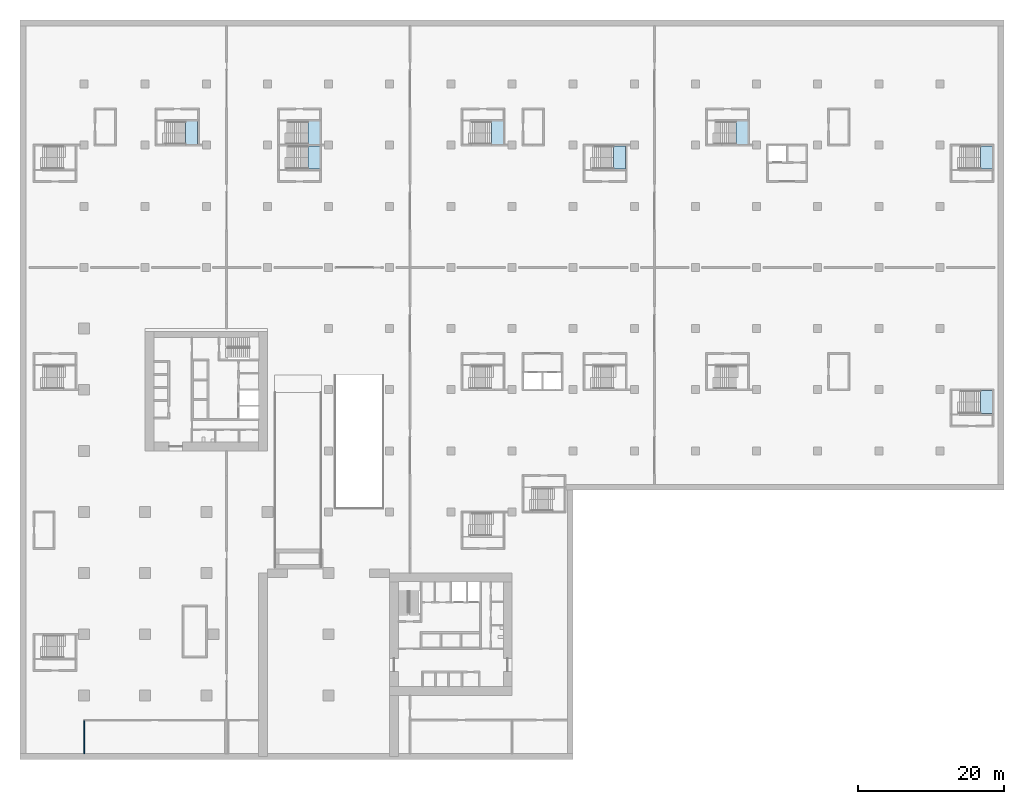
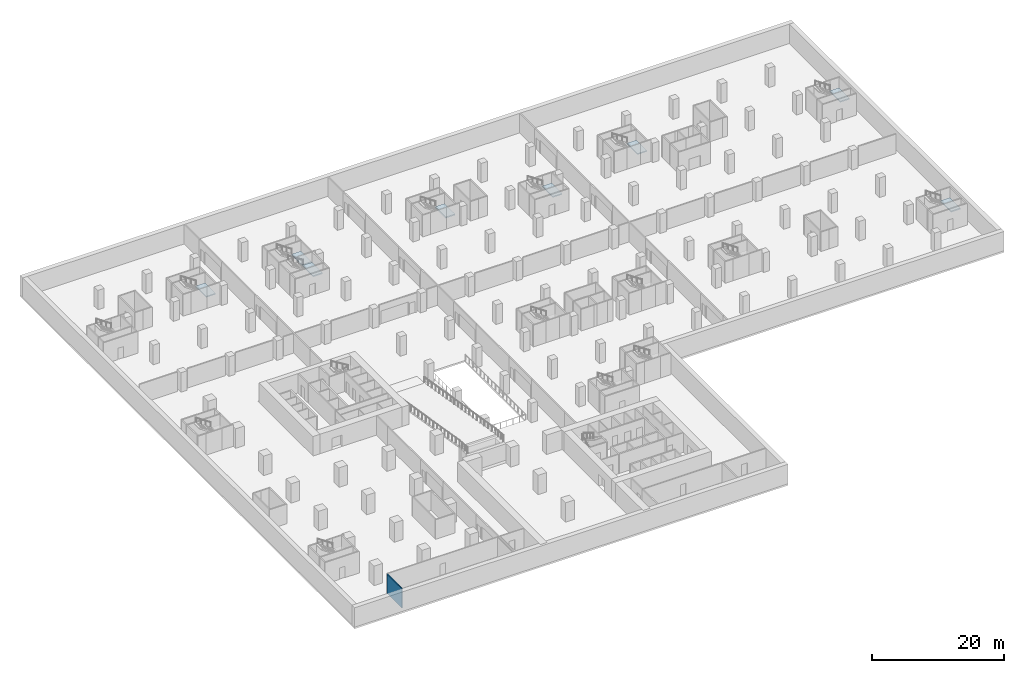
# One storey, part 2 of 18: 8 slabs, 1 wall, 8 elements without a shape of their own.
"""IFC4 building model written with IfcOpenShell, lengths in metres."""

import ifcopenshell
import ifcopenshell.guid

model = None  # the IFC model being written
_history = None  # IfcOwnerHistory: only IFC2X3 demands one
_inside = {}  # id of a spatial element -> (the spatial element, [elements in it])
_under = {}  # id of a project, library or spatial element -> (it, [spatial elements below it])
_declared = {}  # id of a project -> (the project, [libraries it declares])
_typed = {}  # id of a type object -> (the type object, [elements of that type])
_made_of = {}  # id of a material, layer set ... -> (it, [elements and type objects made of it])


def new_model(schema):
    """Start an empty IFC model of exactly this schema.

    Asked for "IFC4X3", IfcOpenShell would pick the latest addendum, in which some entities
    have other attributes; the version numbers below select the first issue.
    IFC2X3 requires an IfcOwnerHistory on every rooted entity: one is made here for all.
    """
    global model, _history
    if schema == "IFC4X3":
        model = ifcopenshell.file(schema_version=(4, 3, 0, 0))
    else:
        model = ifcopenshell.file(schema=schema)
    _inside.clear()
    _under.clear()
    _declared.clear()
    _typed.clear()
    _made_of.clear()
    _history = None
    if model.schema == "IFC2X3":
        org = make("IfcOrganization", Name="unknown")
        user = make(
            "IfcPersonAndOrganization",
            ThePerson=make("IfcPerson", FamilyName="unknown"),
            TheOrganization=org,
        )
        app = make(
            "IfcApplication",
            ApplicationDeveloper=org,
            Version="unknown",
            ApplicationFullName="unknown",
            ApplicationIdentifier="unknown",
        )
        _history = make(
            "IfcOwnerHistory",
            OwningUser=user,
            OwningApplication=app,
            ChangeAction="ADDED",
            CreationDate=0,
        )
    return model


def make(cls, **values):
    """One entity of the class cls with the attributes given. An attribute that is None is left unset."""
    return model.create_entity(
        cls, **{name: value for name, value in values.items() if value is not None}
    )


def rooted(cls, **values):
    """An entity with a GlobalId (a new one), such as an element, a storey or a relation."""
    return make(cls, GlobalId=ifcopenshell.guid.new(), OwnerHistory=_history, **values)


def si_unit(unit_type, name, prefix=None):
    """IfcSIUnit, for example si_unit("LENGTHUNIT", "METRE", prefix="MILLI")."""
    return make("IfcSIUnit", UnitType=unit_type, Prefix=prefix, Name=name)


def assignment(units):
    """IfcUnitAssignment: the units of a project."""
    return None if units is None else make("IfcUnitAssignment", Units=units)


def point(xyz):
    """IfcCartesianPoint."""
    return None if xyz is None else make("IfcCartesianPoint", Coordinates=xyz)


def direction(xyz):
    """IfcDirection."""
    return None if xyz is None else make("IfcDirection", DirectionRatios=xyz)


def frame(location, z_axis=None, x_axis=None):
    """IfcAxis2Placement3D, a coordinate frame: its origin and axes. An axis left out is left unset."""
    return make(
        "IfcAxis2Placement3D",
        Location=point(location),
        Axis=direction(z_axis),
        RefDirection=direction(x_axis),
    )


def frame_2d(location, x_axis=None):
    """IfcAxis2Placement2D, a coordinate frame in the plane: its origin and x axis."""
    return make(
        "IfcAxis2Placement2D", Location=point(location), RefDirection=direction(x_axis)
    )


def origin():
    """The frame at (0, 0, 0) with its axes left unset."""
    return frame((0.0, 0.0, 0.0))


def place(relative_to, where):
    """IfcLocalPlacement: puts the frame where relative to a parent placement (None: the world)."""
    return make(
        "IfcLocalPlacement", PlacementRelTo=relative_to, RelativePlacement=where
    )


def context(
    kind, dimensions, precision=None, world=None, true_north=None, identifier=None
):
    """IfcGeometricRepresentationContext, for example the 3D "Model" context."""
    return make(
        "IfcGeometricRepresentationContext",
        ContextIdentifier=identifier,
        ContextType=kind,
        CoordinateSpaceDimension=dimensions,
        Precision=precision,
        WorldCoordinateSystem=world,
        TrueNorth=true_north,
    )


def subcontext(parent, identifier, kind, view, scale=None):
    """IfcGeometricRepresentationSubContext, for example "Body" below "Model"."""
    return make(
        "IfcGeometricRepresentationSubContext",
        ContextIdentifier=identifier,
        ContextType=kind,
        ParentContext=parent,
        TargetScale=scale,
        TargetView=view,
    )


def project(units=None, contexts=None):
    """IfcProject with its units and contexts."""
    return rooted(
        "IfcProject",
        Name="project",
        RepresentationContexts=contexts,
        UnitsInContext=assignment(units),
    )


def spatial(cls, under=None, at=None, **own):
    """A site, building, storey or space (cls), placed at a placement, below another one or the project."""
    s = rooted(cls, ObjectPlacement=at, **own)
    if under is not None:
        _under.setdefault(under.id(), (under, []))[1].append(s)
    return s


def polyline(points):
    """IfcPolyline through the points."""
    return make("IfcPolyline", Points=[point(p) for p in points])


def profile(cls, at=None, kind="AREA", **sizes):
    """A parametric profile (cls). Its sizes go by their IFC names, for example OverallWidth=200.0."""
    return make(cls, ProfileType=kind, Position=at, **sizes)


def rectangle(**sizes):
    """IfcRectangleProfileDef."""
    return profile("IfcRectangleProfileDef", **sizes)


def outline(outer, holes=None, kind="AREA"):
    """IfcArbitraryClosedProfileDef: a profile drawn as a closed curve; with holes, ...WithVoids."""
    if holes is None:
        return make("IfcArbitraryClosedProfileDef", ProfileType=kind, OuterCurve=outer)
    return make(
        "IfcArbitraryProfileDefWithVoids",
        ProfileType=kind,
        OuterCurve=outer,
        InnerCurves=holes,
    )


def extrude(swept, where, along, depth):
    """IfcExtrudedAreaSolid: the profile swept, set in the frame where, extruded along a direction by depth."""
    return make(
        "IfcExtrudedAreaSolid",
        SweptArea=swept,
        Position=where,
        ExtrudedDirection=direction(along),
        Depth=depth,
    )


def shape(context_of_items, identifier, shape_type, items):
    """IfcShapeRepresentation: the items that make up one representation, for example the "Body"."""
    return make(
        "IfcShapeRepresentation",
        ContextOfItems=context_of_items,
        RepresentationIdentifier=identifier,
        RepresentationType=shape_type,
        Items=items,
    )


def material(Name=None, Category=None):
    """IfcMaterial."""
    return make("IfcMaterial", Name=Name, Category=Category)


def layer(
    of_material, thickness, ventilated=None, Name=None, Category=None, Priority=None
):
    """IfcMaterialLayer: one layer of a wall or slab, of a material (None: an air gap)."""
    return make(
        "IfcMaterialLayer",
        Material=of_material,
        LayerThickness=thickness,
        IsVentilated=ventilated,
        Name=Name,
        Category=Category,
        Priority=Priority,
    )


def layer_set(layers, Name=None):
    """IfcMaterialLayerSet."""
    return make("IfcMaterialLayerSet", MaterialLayers=layers, LayerSetName=Name)


def made_of(thing, what):
    """Note that an element or type object is made of a material, layer set ...; save() writes the relation."""
    if what is not None:
        _made_of.setdefault(what.id(), (what, []))[1].append(thing)
    return thing


def type_object(cls, material=None, **own):
    """A type object (cls), such as IfcWallType, which elements share."""
    return made_of(rooted(cls, **own), material)


def element(
    cls,
    number,
    at=None,
    inside=None,
    cuts=None,
    type_object=None,
    material=None,
    context=None,
    identifier="Body",
    shape_type=None,
    held_by="IfcProductDefinitionShape",
    body=None,
    shapes=None,
    **own,
):
    """One element of the class cls, such as IfcWall. Its Tag is "e" and its number.

    at: its placement. inside: the storey or other place that contains it. cuts: it is an
    opening in that element (IfcRelVoidsElement). A single representation is given by context,
    identifier, shape_type and body (its items); several are given by shapes. held_by: the class
    of the entity that holds the representations. save() writes the other relations.
    """
    e = rooted(cls, Tag="e%d" % number, ObjectPlacement=at, **own)
    if body is not None:
        shapes = [shape(context, identifier, shape_type, body)]
    if shapes is not None:
        e.Representation = make(held_by, Representations=shapes)
    if inside is not None:
        _inside.setdefault(inside.id(), (inside, []))[1].append(e)
    if cuts is not None:
        rooted(
            "IfcRelVoidsElement", RelatingBuildingElement=cuts, RelatedOpeningElement=e
        )
    if type_object is not None:
        _typed.setdefault(type_object.id(), (type_object, []))[1].append(e)
    return made_of(e, material)


def aggregate(whole, parts):
    """IfcRelAggregates: a whole, such as a stair, and the parts it consists of."""
    return rooted("IfcRelAggregates", RelatingObject=whole, RelatedObjects=parts)


def save(model, path):
    """Write the relations noted so far, then the file.

    IfcRelAggregates (storeys below a building ...), IfcRelContainedInSpatialStructure (elements
    in a storey), IfcRelDefinesByType, IfcRelAssociatesMaterial and IfcRelDeclares: one each for
    every whole, place, type object, material and project.
    """
    for whole, parts in _under.values():
        aggregate(whole, parts)
    for where, things in _inside.values():
        rooted(
            "IfcRelContainedInSpatialStructure",
            RelatedElements=things,
            RelatingStructure=where,
        )
    for kind, things in _typed.values():
        rooted("IfcRelDefinesByType", RelatedObjects=things, RelatingType=kind)
    for what, things in _made_of.values():
        rooted("IfcRelAssociatesMaterial", RelatedObjects=things, RelatingMaterial=what)
    for by, libraries in _declared.values():
        rooted("IfcRelDeclares", RelatingContext=by, RelatedDefinitions=libraries)
    model.write(path)


model = new_model("IFC4")

# Units and contexts
model_context = context("Model", 3, precision=1e-05, world=origin(), true_north=direction((0.0, 1.0)))
body_context = subcontext(model_context, "Body", "Model", "MODEL_VIEW")
ifc_project = project(units=[si_unit("LENGTHUNIT", "METRE"), si_unit("AREAUNIT", "SQUARE_METRE"), si_unit("VOLUMEUNIT", "CUBIC_METRE"), si_unit("PLANEANGLEUNIT", "RADIAN"), si_unit("MASSUNIT", "GRAM", prefix="KILO")], contexts=[model_context])

# Site, building, storey
site_placement = place(None, origin())
site = spatial("IfcSite", under=ifc_project, at=site_placement, CompositionType="ELEMENT")
building_placement = place(site_placement, origin())
building = spatial("IfcBuilding", under=site, at=building_placement, Name="Vermilion Gate Residences", CompositionType="ELEMENT")
storey_placement = place(building_placement, frame((0.0, 0.0, -4.0)))
storey = spatial("IfcBuildingStorey", under=building, at=storey_placement, Name="B1", CompositionType="ELEMENT", Elevation=-4.0)

# Stair, slab
ifc_material_1 = material(Name="Concrete C30", Category="concrete")
stair_type = type_object("IfcStairType", Name="ESCAPE STAIR 1200 (AMENITY)", PredefinedType="HALF_TURN_STAIR", material=ifc_material_1)
stair_1_placement = place(storey_placement, origin())
stair_1 = element("IfcStair", 1, at=stair_1_placement, inside=storey, type_object=stair_type, Name="Garage escape stair 5 B1 to L00", PredefinedType="HALF_TURN_STAIR")
ifc_material_2 = material(Name="Concrete C35", Category="concrete")
ifc_layer_1 = layer(ifc_material_2, 0.199951171875)
ifc_layer_set_1 = layer_set([ifc_layer_1], Name="STAIR LANDING 200 (AMENITY)")
slab_type = type_object("IfcSlabType", Name="STAIR LANDING 200 (AMENITY)", PredefinedType="LANDING", material=ifc_layer_set_1)
slab_1_placement = place(storey_placement, frame((0.0, 0.0, 1.886962890625)))
slab_1 = element("IfcSlab", 2, at=slab_1_placement, type_object=slab_type, Name="STG5 landing 1", PredefinedType="LANDING", context=body_context, shape_type="SweptSolid", body=[
    extrude(outline(polyline([(123.159912109375, 47.10009765625), (124.800048828125, 47.10009765625), (124.800048828125, 50.300048828125), (123.159912109375, 50.300048828125), (123.159912109375, 47.10009765625)])), origin(), (0.0, 0.0, 1.0), 0.199951171875),
])
aggregate(stair_1, [slab_1])

stair_2_placement = place(storey_placement, origin())
stair_2 = element("IfcStair", 3, at=stair_2_placement, inside=storey, type_object=stair_type, Name="Garage escape stair 8 B1 to L00", PredefinedType="HALF_TURN_STAIR")
slab_2_placement = place(storey_placement, frame((0.0, 0.0, 1.886962890625)))
slab_2 = element("IfcSlab", 4, at=slab_2_placement, type_object=slab_type, Name="STG8 landing 1", PredefinedType="LANDING", context=body_context, shape_type="SweptSolid", body=[
    extrude(outline(polyline([(13.9599609375, 84.10009765625), (15.60009765625, 84.10009765625), (15.60009765625, 87.300048828125), (13.9599609375, 87.300048828125), (13.9599609375, 84.10009765625)])), origin(), (0.0, 0.0, 1.0), 0.199951171875),
])
aggregate(stair_2, [slab_2])

stair_3_placement = place(storey_placement, origin())
stair_3 = element("IfcStair", 5, at=stair_3_placement, inside=storey, type_object=stair_type, Name="Garage escape stair 9 B1 to L00", PredefinedType="HALF_TURN_STAIR")
slab_3_placement = place(storey_placement, frame((0.0, 0.0, 1.886962890625)))
slab_3 = element("IfcSlab", 6, at=slab_3_placement, type_object=slab_type, Name="STG9 landing 1", PredefinedType="LANDING", context=body_context, shape_type="SweptSolid", body=[
    extrude(outline(polyline([(30.760009765625, 84.10009765625), (32.39990234375, 84.10009765625), (32.39990234375, 87.300048828125), (30.760009765625, 87.300048828125), (30.760009765625, 84.10009765625)])), origin(), (0.0, 0.0, 1.0), 0.199951171875),
])
aggregate(stair_3, [slab_3])

stair_4_placement = place(storey_placement, origin())
stair_4 = element("IfcStair", 7, at=stair_4_placement, inside=storey, type_object=stair_type, Name="Garage escape stair 10 B1 to L00", PredefinedType="HALF_TURN_STAIR")
slab_4_placement = place(storey_placement, frame((0.0, 0.0, 1.886962890625)))
slab_4 = element("IfcSlab", 8, at=slab_4_placement, type_object=slab_type, Name="STG10 landing 1", PredefinedType="LANDING", context=body_context, shape_type="SweptSolid", body=[
    extrude(outline(polyline([(30.760009765625, 80.699951171875), (32.39990234375, 80.699951171875), (32.39990234375, 83.89990234375), (30.760009765625, 83.89990234375), (30.760009765625, 80.699951171875)])), origin(), (0.0, 0.0, 1.0), 0.199951171875),
])
aggregate(stair_4, [slab_4])

stair_5_placement = place(storey_placement, origin())
stair_5 = element("IfcStair", 9, at=stair_5_placement, inside=storey, type_object=stair_type, Name="Garage escape stair 11 B1 to L00", PredefinedType="HALF_TURN_STAIR")
slab_5_placement = place(storey_placement, frame((0.0, 0.0, 1.886962890625)))
slab_5 = element("IfcSlab", 10, at=slab_5_placement, type_object=slab_type, Name="STG11 landing 1", PredefinedType="LANDING", context=body_context, shape_type="SweptSolid", body=[
    extrude(outline(polyline([(72.760009765625, 80.699951171875), (74.39990234375, 80.699951171875), (74.39990234375, 83.89990234375), (72.760009765625, 83.89990234375), (72.760009765625, 80.699951171875)])), origin(), (0.0, 0.0, 1.0), 0.199951171875),
])
aggregate(stair_5, [slab_5])

stair_6_placement = place(storey_placement, origin())
stair_6 = element("IfcStair", 11, at=stair_6_placement, inside=storey, type_object=stair_type, Name="Garage escape stair 12 B1 to L00", PredefinedType="HALF_TURN_STAIR")
slab_6_placement = place(storey_placement, frame((0.0, 0.0, 1.886962890625)))
slab_6 = element("IfcSlab", 12, at=slab_6_placement, type_object=slab_type, Name="STG12 landing 1", PredefinedType="LANDING", context=body_context, shape_type="SweptSolid", body=[
    extrude(outline(polyline([(55.9599609375, 84.10009765625), (57.60009765625, 84.10009765625), (57.60009765625, 87.300048828125), (55.9599609375, 87.300048828125), (55.9599609375, 84.10009765625)])), origin(), (0.0, 0.0, 1.0), 0.199951171875),
])
aggregate(stair_6, [slab_6])

stair_7_placement = place(storey_placement, origin())
stair_7 = element("IfcStair", 13, at=stair_7_placement, inside=storey, type_object=stair_type, Name="Garage escape stair 13 B1 to L00", PredefinedType="HALF_TURN_STAIR")
slab_7_placement = place(storey_placement, frame((0.0, 0.0, 1.886962890625)))
slab_7 = element("IfcSlab", 14, at=slab_7_placement, type_object=slab_type, Name="STG13 landing 1", PredefinedType="LANDING", context=body_context, shape_type="SweptSolid", body=[
    extrude(outline(polyline([(123.159912109375, 80.699951171875), (124.800048828125, 80.699951171875), (124.800048828125, 83.89990234375), (123.159912109375, 83.89990234375), (123.159912109375, 80.699951171875)])), origin(), (0.0, 0.0, 1.0), 0.199951171875),
])
aggregate(stair_7, [slab_7])

stair_8_placement = place(storey_placement, origin())
stair_8 = element("IfcStair", 15, at=stair_8_placement, inside=storey, type_object=stair_type, Name="Garage escape stair 14 B1 to L00", PredefinedType="HALF_TURN_STAIR")
slab_8_placement = place(storey_placement, frame((0.0, 0.0, 1.886962890625)))
slab_8 = element("IfcSlab", 16, at=slab_8_placement, type_object=slab_type, Name="STG14 landing 1", PredefinedType="LANDING", context=body_context, shape_type="SweptSolid", body=[
    extrude(outline(polyline([(89.56005859375, 84.10009765625), (91.199951171875, 84.10009765625), (91.199951171875, 87.300048828125), (89.56005859375, 87.300048828125), (89.56005859375, 84.10009765625)])), origin(), (0.0, 0.0, 1.0), 0.199951171875),
])
aggregate(stair_8, [slab_8])

# Wall
ifc_material_3 = material(Name="Gypsum board on steel studs", Category="steel")
ifc_layer_2 = layer(ifc_material_3, 0.14990234375)
ifc_layer_set_2 = layer_set([ifc_layer_2], Name="PARTITION 150 EI 60 (AMENITY)")
wall_type = type_object("IfcWallType", Name="PARTITION 150 EI 60 (AMENITY)", PredefinedType="PARTITIONING", material=ifc_layer_set_2)
wall_placement = place(storey_placement, frame((0.0, 0.39990234375, 0.0), z_axis=(0.0, 0.0, 1.0), x_axis=(0.0, 1.0, 0.0)))
element("IfcWall", 17, at=wall_placement, inside=storey, type_object=wall_type, Name="Partition 33", PredefinedType="PARTITIONING", context=body_context, shape_type="SweptSolid", body=[
    extrude(rectangle(XDim=4.525146484375, YDim=0.14990234375, at=frame_2d((2.2626953125, 0.0))), origin(), (0.0, 0.0, 1.0), 3.60009765625),
])

save(model, "model.ifc")
